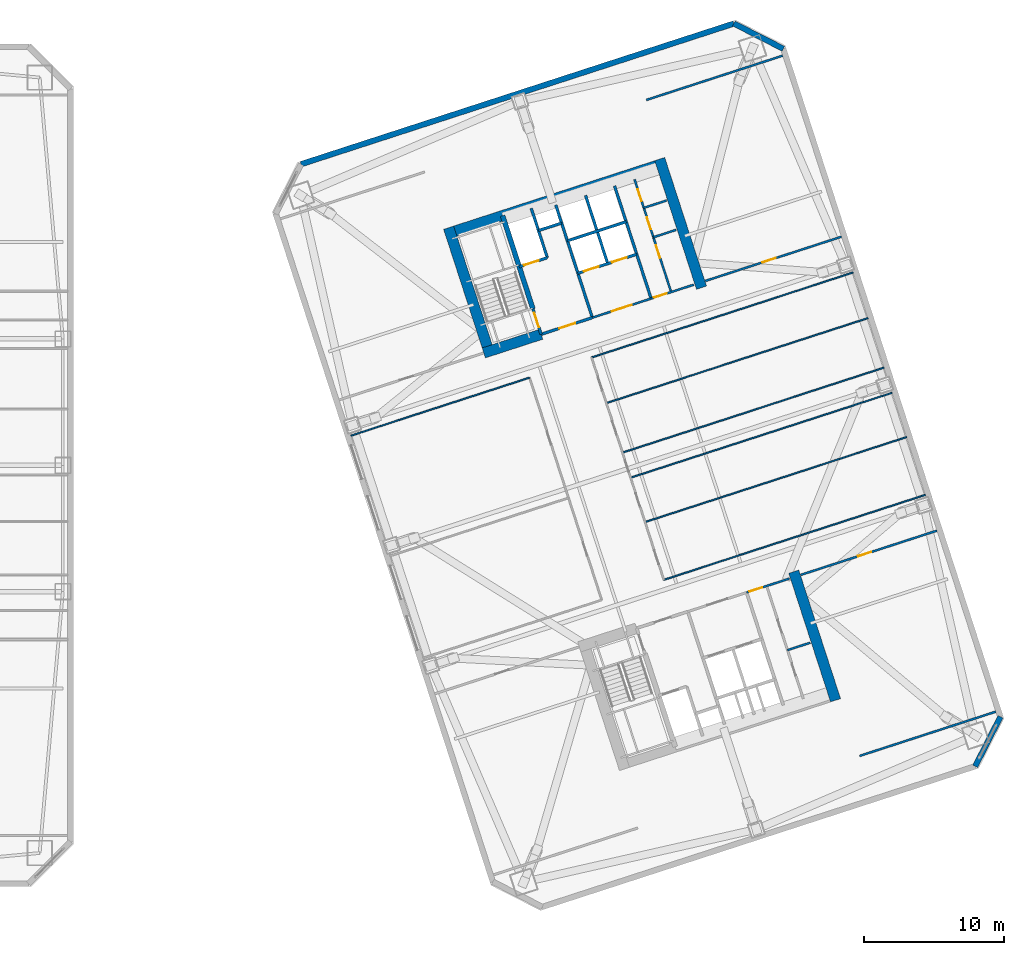
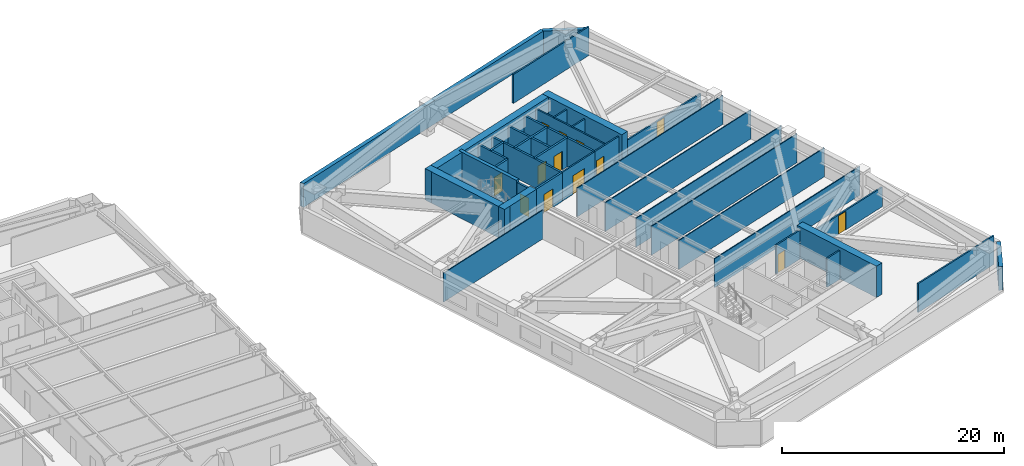
# One storey, part 15 of 18: 37 walls, 13 doors, 13 openings.
"""IFC4 building model written with IfcOpenShell, lengths in metres."""

import ifcopenshell
import ifcopenshell.guid

model = None  # the IFC model being written
_history = None  # IfcOwnerHistory: only IFC2X3 demands one
_inside = {}  # id of a spatial element -> (the spatial element, [elements in it])
_under = {}  # id of a project, library or spatial element -> (it, [spatial elements below it])
_declared = {}  # id of a project -> (the project, [libraries it declares])
_typed = {}  # id of a type object -> (the type object, [elements of that type])
_made_of = {}  # id of a material, layer set ... -> (it, [elements and type objects made of it])


def new_model(schema):
    """Start an empty IFC model of exactly this schema.

    Asked for "IFC4X3", IfcOpenShell would pick the latest addendum, in which some entities
    have other attributes; the version numbers below select the first issue.
    IFC2X3 requires an IfcOwnerHistory on every rooted entity: one is made here for all.
    """
    global model, _history
    if schema == "IFC4X3":
        model = ifcopenshell.file(schema_version=(4, 3, 0, 0))
    else:
        model = ifcopenshell.file(schema=schema)
    _inside.clear()
    _under.clear()
    _declared.clear()
    _typed.clear()
    _made_of.clear()
    _history = None
    if model.schema == "IFC2X3":
        org = make("IfcOrganization", Name="unknown")
        user = make(
            "IfcPersonAndOrganization",
            ThePerson=make("IfcPerson", FamilyName="unknown"),
            TheOrganization=org,
        )
        app = make(
            "IfcApplication",
            ApplicationDeveloper=org,
            Version="unknown",
            ApplicationFullName="unknown",
            ApplicationIdentifier="unknown",
        )
        _history = make(
            "IfcOwnerHistory",
            OwningUser=user,
            OwningApplication=app,
            ChangeAction="ADDED",
            CreationDate=0,
        )
    return model


def make(cls, **values):
    """One entity of the class cls with the attributes given. An attribute that is None is left unset."""
    return model.create_entity(
        cls, **{name: value for name, value in values.items() if value is not None}
    )


def rooted(cls, **values):
    """An entity with a GlobalId (a new one), such as an element, a storey or a relation."""
    return make(cls, GlobalId=ifcopenshell.guid.new(), OwnerHistory=_history, **values)


def si_unit(unit_type, name, prefix=None):
    """IfcSIUnit, for example si_unit("LENGTHUNIT", "METRE", prefix="MILLI")."""
    return make("IfcSIUnit", UnitType=unit_type, Prefix=prefix, Name=name)


def assignment(units):
    """IfcUnitAssignment: the units of a project."""
    return None if units is None else make("IfcUnitAssignment", Units=units)


def point(xyz):
    """IfcCartesianPoint."""
    return None if xyz is None else make("IfcCartesianPoint", Coordinates=xyz)


def direction(xyz):
    """IfcDirection."""
    return None if xyz is None else make("IfcDirection", DirectionRatios=xyz)


def frame(location, z_axis=None, x_axis=None):
    """IfcAxis2Placement3D, a coordinate frame: its origin and axes. An axis left out is left unset."""
    return make(
        "IfcAxis2Placement3D",
        Location=point(location),
        Axis=direction(z_axis),
        RefDirection=direction(x_axis),
    )


def frame_2d(location, x_axis=None):
    """IfcAxis2Placement2D, a coordinate frame in the plane: its origin and x axis."""
    return make(
        "IfcAxis2Placement2D", Location=point(location), RefDirection=direction(x_axis)
    )


def origin():
    """The frame at (0, 0, 0) with its axes left unset."""
    return frame((0.0, 0.0, 0.0))


def place(relative_to, where):
    """IfcLocalPlacement: puts the frame where relative to a parent placement (None: the world)."""
    return make(
        "IfcLocalPlacement", PlacementRelTo=relative_to, RelativePlacement=where
    )


def context(
    kind, dimensions, precision=None, world=None, true_north=None, identifier=None
):
    """IfcGeometricRepresentationContext, for example the 3D "Model" context."""
    return make(
        "IfcGeometricRepresentationContext",
        ContextIdentifier=identifier,
        ContextType=kind,
        CoordinateSpaceDimension=dimensions,
        Precision=precision,
        WorldCoordinateSystem=world,
        TrueNorth=true_north,
    )


def subcontext(parent, identifier, kind, view, scale=None):
    """IfcGeometricRepresentationSubContext, for example "Body" below "Model"."""
    return make(
        "IfcGeometricRepresentationSubContext",
        ContextIdentifier=identifier,
        ContextType=kind,
        ParentContext=parent,
        TargetScale=scale,
        TargetView=view,
    )


def project(units=None, contexts=None):
    """IfcProject with its units and contexts."""
    return rooted(
        "IfcProject",
        Name="project",
        RepresentationContexts=contexts,
        UnitsInContext=assignment(units),
    )


def spatial(cls, under=None, at=None, **own):
    """A site, building, storey or space (cls), placed at a placement, below another one or the project."""
    s = rooted(cls, ObjectPlacement=at, **own)
    if under is not None:
        _under.setdefault(under.id(), (under, []))[1].append(s)
    return s


def profile(cls, at=None, kind="AREA", **sizes):
    """A parametric profile (cls). Its sizes go by their IFC names, for example OverallWidth=200.0."""
    return make(cls, ProfileType=kind, Position=at, **sizes)


def rectangle(**sizes):
    """IfcRectangleProfileDef."""
    return profile("IfcRectangleProfileDef", **sizes)


def extrude(swept, where, along, depth):
    """IfcExtrudedAreaSolid: the profile swept, set in the frame where, extruded along a direction by depth."""
    return make(
        "IfcExtrudedAreaSolid",
        SweptArea=swept,
        Position=where,
        ExtrudedDirection=direction(along),
        Depth=depth,
    )


def shape(context_of_items, identifier, shape_type, items):
    """IfcShapeRepresentation: the items that make up one representation, for example the "Body"."""
    return make(
        "IfcShapeRepresentation",
        ContextOfItems=context_of_items,
        RepresentationIdentifier=identifier,
        RepresentationType=shape_type,
        Items=items,
    )


def material(Name=None, Category=None):
    """IfcMaterial."""
    return make("IfcMaterial", Name=Name, Category=Category)


def layer(
    of_material, thickness, ventilated=None, Name=None, Category=None, Priority=None
):
    """IfcMaterialLayer: one layer of a wall or slab, of a material (None: an air gap)."""
    return make(
        "IfcMaterialLayer",
        Material=of_material,
        LayerThickness=thickness,
        IsVentilated=ventilated,
        Name=Name,
        Category=Category,
        Priority=Priority,
    )


def layer_set(layers, Name=None):
    """IfcMaterialLayerSet."""
    return make("IfcMaterialLayerSet", MaterialLayers=layers, LayerSetName=Name)


def made_of(thing, what):
    """Note that an element or type object is made of a material, layer set ...; save() writes the relation."""
    if what is not None:
        _made_of.setdefault(what.id(), (what, []))[1].append(thing)
    return thing


def type_object(cls, material=None, **own):
    """A type object (cls), such as IfcWallType, which elements share."""
    return made_of(rooted(cls, **own), material)


def element(
    cls,
    number,
    at=None,
    inside=None,
    cuts=None,
    type_object=None,
    material=None,
    context=None,
    identifier="Body",
    shape_type=None,
    held_by="IfcProductDefinitionShape",
    body=None,
    shapes=None,
    **own,
):
    """One element of the class cls, such as IfcWall. Its Tag is "e" and its number.

    at: its placement. inside: the storey or other place that contains it. cuts: it is an
    opening in that element (IfcRelVoidsElement). A single representation is given by context,
    identifier, shape_type and body (its items); several are given by shapes. held_by: the class
    of the entity that holds the representations. save() writes the other relations.
    """
    e = rooted(cls, Tag="e%d" % number, ObjectPlacement=at, **own)
    if body is not None:
        shapes = [shape(context, identifier, shape_type, body)]
    if shapes is not None:
        e.Representation = make(held_by, Representations=shapes)
    if inside is not None:
        _inside.setdefault(inside.id(), (inside, []))[1].append(e)
    if cuts is not None:
        rooted(
            "IfcRelVoidsElement", RelatingBuildingElement=cuts, RelatedOpeningElement=e
        )
    if type_object is not None:
        _typed.setdefault(type_object.id(), (type_object, []))[1].append(e)
    return made_of(e, material)


def fill(opening, filler):
    """IfcRelFillsElement: the door or window that sits in an opening."""
    return rooted(
        "IfcRelFillsElement",
        RelatingOpeningElement=opening,
        RelatedBuildingElement=filler,
    )


def aggregate(whole, parts):
    """IfcRelAggregates: a whole, such as a stair, and the parts it consists of."""
    return rooted("IfcRelAggregates", RelatingObject=whole, RelatedObjects=parts)


def save(model, path):
    """Write the relations noted so far, then the file.

    IfcRelAggregates (storeys below a building ...), IfcRelContainedInSpatialStructure (elements
    in a storey), IfcRelDefinesByType, IfcRelAssociatesMaterial and IfcRelDeclares: one each for
    every whole, place, type object, material and project.
    """
    for whole, parts in _under.values():
        aggregate(whole, parts)
    for where, things in _inside.values():
        rooted(
            "IfcRelContainedInSpatialStructure",
            RelatedElements=things,
            RelatingStructure=where,
        )
    for kind, things in _typed.values():
        rooted("IfcRelDefinesByType", RelatedObjects=things, RelatingType=kind)
    for what, things in _made_of.values():
        rooted("IfcRelAssociatesMaterial", RelatedObjects=things, RelatingMaterial=what)
    for by, libraries in _declared.values():
        rooted("IfcRelDeclares", RelatingContext=by, RelatedDefinitions=libraries)
    model.write(path)


model = new_model("IFC4")

# Units and contexts
model_context = context("Model", 3, precision=1e-05, world=origin(), true_north=direction((0.0, 1.0)))
body_context = subcontext(model_context, "Body", "Model", "MODEL_VIEW")
ifc_project = project(units=[si_unit("LENGTHUNIT", "METRE"), si_unit("AREAUNIT", "SQUARE_METRE"), si_unit("VOLUMEUNIT", "CUBIC_METRE"), si_unit("PLANEANGLEUNIT", "RADIAN"), si_unit("MASSUNIT", "GRAM", prefix="KILO")], contexts=[model_context])

# Site, building, storey
site_placement = place(None, origin())
site = spatial("IfcSite", under=ifc_project, at=site_placement, CompositionType="ELEMENT")
building_placement = place(site_placement, origin())
building = spatial("IfcBuilding", under=site, at=building_placement, Name="Qiaolan Cultural Towers", CompositionType="ELEMENT")
storey_placement = place(building_placement, frame((0.0, 0.0, 74.75)))
storey = spatial("IfcBuildingStorey", under=building, at=storey_placement, Name="L18", CompositionType="ELEMENT", Elevation=74.75)

# Walls
ifc_material_1 = material(Name="Concrete C50", Category="concrete")
ifc_layer_1 = layer(ifc_material_1, 0.35009765625)
ifc_layer_set_1 = layer_set([ifc_layer_1], Name="Concrete C50")
wall_type_1 = type_object("IfcWallType", Name="WL-CORE-350", PredefinedType="SHEAR", material=ifc_layer_set_1)
wall_1_placement = place(storey_placement, frame((82.513671875, 45.13134765625, 0.0), z_axis=(0.0, 0.0, 1.0), x_axis=(-0.308988790936, 0.951065679686, 0.0)))
element("IfcWall", 1, at=wall_1_placement, inside=storey, type_object=wall_type_1, Name="L18 T2-CN Stair Core Dividing Web", PredefinedType="SHEAR", context=body_context, shape_type="SweptSolid", body=[
    extrude(rectangle(XDim=6.97998046875, YDim=0.35009765625, at=frame_2d((3.489990234375, 0.0))), origin(), (0.0, 0.0, 1.0), 3.449951171875),
])
ifc_material_2 = material(Name="Concrete C60", Category="concrete")
ifc_layer_2 = layer(ifc_material_2, 0.75)
ifc_layer_set_2 = layer_set([ifc_layer_2], Name="Concrete C60")
wall_type_2 = type_object("IfcWallType", Name="WL-CORE-750", PredefinedType="SHEAR", material=ifc_layer_set_2)
wall_2_placement = place(storey_placement, frame((101.08203125, 26.428955078125, 0.0), z_axis=(0.0, 0.0, 1.0), x_axis=(0.309016134813, -0.951056795583, 0.0)))
element("IfcWall", 2, at=wall_2_placement, inside=storey, type_object=wall_type_2, Name="L18 T2-CS East Core Shear Wall", PredefinedType="SHEAR", context=body_context, shape_type="SweptSolid", body=[
    extrude(rectangle(XDim=9.630126953125, YDim=0.75, at=frame_2d((4.81494140625, 0.0))), origin(), (0.0, 0.0, 1.0), 3.449951171875),
])
wall_3_placement = place(storey_placement, frame((76.27197265625, 50.442626953125, 0.0), z_axis=(0.0, 0.0, 1.0), x_axis=(0.951056072937, 0.309018358888, 0.0)))
element("IfcWall", 3, at=wall_3_placement, inside=storey, type_object=wall_type_2, Name="L18 T2-CN Outer Core Shear Wall", PredefinedType="SHEAR", context=body_context, shape_type="SweptSolid", body=[
    extrude(rectangle(XDim=16.550048828125, YDim=0.75, at=frame_2d((8.27490234375, 0.0))), origin(), (0.0, 0.0, 1.0), 3.449951171875),
])
for number, where, z_axis, x_axis, name in (
    (4, (79.48876953125, 41.75634765625, 0.0), (0.0, 0.0, 1.0), (-0.309016134813, 0.951056795583, 0.0), "L18 T2-CN West Core Shear Wall"),
    (5, (94.515380859375, 46.638916015625, 0.0), (0.0, 0.0, 1.0), (-0.309016134813, 0.951056795583, 0.0), "L18 T2-CN East Core Shear Wall"),
):
    element("IfcWall", number, at=place(storey_placement, frame(where, z_axis=z_axis, x_axis=x_axis)), inside=storey, type_object=wall_type_2, Name=name, PredefinedType="SHEAR", context=body_context, shape_type="SweptSolid", body=[
        extrude(rectangle(XDim=9.630126953125, YDim=0.75, at=frame_2d((4.81494140625, 0.0))), origin(), (0.0, 0.0, 1.0), 3.449951171875),
    ])
wall_4_placement = place(storey_placement, frame((79.01611328125, 41.997314453125, 0.0), z_axis=(0.0, 0.0, 1.0), x_axis=(0.95106038264, 0.309005094736, 0.0)))
element("IfcWall", 6, at=wall_4_placement, inside=storey, type_object=wall_type_2, Name="L18 T2-CN Stair Front Shear Wall", PredefinedType="SHEAR", context=body_context, shape_type="SweptSolid", body=[
    extrude(rectangle(XDim=4.294921875, YDim=0.75, at=frame_2d((2.1474609375, 0.0))), origin(), (0.0, 0.0, 1.0), 3.449951171875),
])
ifc_material_3 = material(Name="Precast Concrete C50 Honed Stone Pier", Category="masonry")
ifc_layer_3 = layer(ifc_material_3, 0.39990234375)
ifc_layer_set_3 = layer_set([ifc_layer_3], Name="Precast Concrete C50 Honed Stone Pier")
wall_type_3 = type_object("IfcWallType", Name="WL-EXT-PIER-400", PredefinedType="SOLIDWALL", material=ifc_layer_set_3)
wall_5_placement = place(storey_placement, frame((66.002197265625, 55.433349609375, 0.0), z_axis=(0.0, 0.0, 1.0), x_axis=(0.951055939317, 0.309018770125, 0.0)))
element("IfcWall", 7, at=wall_5_placement, inside=storey, type_object=wall_type_3, Name="L18 East Tower Precast Pier Facade Wall F3", PredefinedType="SOLIDWALL", context=body_context, shape_type="SweptSolid", body=[
    extrude(rectangle(XDim=32.39990234375, YDim=0.39990234375, at=frame_2d((16.199951171875, 0.0))), origin(), (0.0, 0.0, 1.0), 2.610107421875),
])
for number, where, z_axis, x_axis, name in (
    (8, (96.81640625, 65.445556640625, 0.0), (0.0, 0.0, 1.0), (0.890998089617, -0.454007053137, 0.0), "L18 East Tower Precast Pier Facade Wall F4"),
    (9, (115.79541015625, 16.094970703125, 0.0), (0.0, 0.0, 1.0), (-0.453958106755, -0.891023028497, 0.0), "L18 East Tower Precast Pier Facade Wall F6"),
):
    element("IfcWall", number, at=place(storey_placement, frame(where, z_axis=z_axis, x_axis=x_axis)), inside=storey, type_object=wall_type_3, Name=name, PredefinedType="SOLIDWALL", context=body_context, shape_type="SweptSolid", body=[
        extrude(rectangle(XDim=3.9599609375, YDim=0.39990234375, at=frame_2d((1.97998046875, 0.0))), origin(), (0.0, 0.0, 1.0), 2.610107421875),
    ])

# Wall, opening, door
ifc_material_4 = material(Name="Concrete C35 Fire Wall", Category="concrete")
ifc_layer_4 = layer(ifc_material_4, 0.199951171875)
ifc_layer_set_4 = layer_set([ifc_layer_4], Name="Concrete C35 Fire Wall")
wall_type_4 = type_object("IfcWallType", Name="WL-FIRE-200", PredefinedType="PARTITIONING", material=ifc_layer_set_4)
wall_6_placement = place(storey_placement, frame((83.100830078125, 43.324462890625, 0.0), z_axis=(0.0, 0.0, 1.0), x_axis=(-0.309048298632, 0.951046344356, 0.0)))
wall_6 = element("IfcWall", 10, at=wall_6_placement, inside=storey, type_object=wall_type_4, Name="L18 T2-CN Smokeproof Stair Entry Wall", PredefinedType="PARTITIONING", context=body_context, shape_type="SweptSolid", body=[
    extrude(rectangle(XDim=1.89990234375, YDim=0.199951171875, at=frame_2d((0.949951171875, 0.0))), origin(), (0.0, 0.0, 1.0), 3.175048828125),
])
opening_1_placement = place(wall_6_placement, frame((0.52001953125, 0.0, 0.0)))
opening_1 = element("IfcOpeningElement", 11, at=opening_1_placement, cuts=wall_6, Name="Opening FD-04", PredefinedType="OPENING", context=body_context, shape_type="SweptSolid", body=[
    extrude(rectangle(XDim=1.10009765625, YDim=2.050048828125, at=frame_2d((0.550048828125, 1.02490234375))), frame((0.0, 0.10986328125, 0.0), z_axis=(0.0, -1.0, 0.0), x_axis=(1.0, 0.0, 0.0)), (0.0, 0.0, 1.0), 0.219970703125),
])
ifc_material_5 = material(Name="Galvanized Steel Command Fire Door", Category="steel")
door_type_1 = type_object("IfcDoorType", Name="DR-FD90-1100", OperationType="NOTDEFINED", PredefinedType="DOOR", material=ifc_material_5)
door_1_placement = place(opening_1_placement, origin())
door_1 = element("IfcDoor", 12, at=door_1_placement, inside=storey, type_object=door_type_1, Name="L18 ST-E2 Smokeproof Stair Fire Door", OperationType="SINGLE_SWING_LEFT", OverallHeight=2.050048828125, OverallWidth=1.10009765625, PredefinedType="DOOR", context=body_context, shape_type="SweptSolid", body=[
    extrude(rectangle(XDim=1.10009765625, YDim=2.050048828125, at=frame_2d((0.550048828125, 1.02490234375))), frame((0.0, 0.02490234375, 0.0), z_axis=(0.0, -1.0, 0.0), x_axis=(1.0, 0.0, 0.0)), (0.0, 0.0, 1.0), 0.050048828125),
])
fill(opening_1, door_1)

# Wall
wall_7_placement = place(storey_placement, frame((86.743408203125, 44.508056640625, 0.0), z_axis=(0.0, 0.0, 1.0), x_axis=(-0.309016001439, 0.951056838919, 0.0)))
element("IfcWall", 13, at=wall_7_placement, inside=storey, type_object=wall_type_4, Name="L18 T2-CN Firefighting Zone Wall", PredefinedType="PARTITIONING", context=body_context, shape_type="SweptSolid", body=[
    extrude(rectangle(XDim=8.429931640625, YDim=0.199951171875, at=frame_2d((4.21484375, 0.0))), origin(), (0.0, 0.0, 1.0), 3.175048828125),
])

# Wall, opening, door
wall_8_placement = place(storey_placement, frame((83.100830078125, 43.324462890625, 0.0), z_axis=(0.0, 0.0, 1.0), x_axis=(0.951052804469, 0.309028417967, 0.0)))
wall_8 = element("IfcWall", 14, at=wall_8_placement, inside=storey, type_object=wall_type_4, Name="L18 T2-CN Firefighting Lobby Front Wall", PredefinedType="PARTITIONING", context=body_context, shape_type="SweptSolid", body=[
    extrude(rectangle(XDim=3.830078125, YDim=0.199951171875, at=frame_2d((1.9150390625, 0.0))), origin(), (0.0, 0.0, 1.0), 3.175048828125),
])
opening_2_placement = place(wall_8_placement, frame((1.35009765625, 0.0, 0.0)))
opening_2 = element("IfcOpeningElement", 15, at=opening_2_placement, cuts=wall_8, Name="Opening FD-03", PredefinedType="OPENING", context=body_context, shape_type="SweptSolid", body=[
    extrude(rectangle(XDim=1.199951171875, YDim=2.050048828125, at=frame_2d((0.60009765625, 1.02490234375))), frame((0.0, 0.10986328125, 0.0), z_axis=(0.0, -1.0, 0.0), x_axis=(1.0, 0.0, 0.0)), (0.0, 0.0, 1.0), 0.219970703125),
])
ifc_material_6 = material(Name="Galvanized Steel Smokeproof Lobby Fire Door", Category="steel")
door_type_2 = type_object("IfcDoorType", Name="DR-FD90-1200", OperationType="NOTDEFINED", PredefinedType="DOOR", material=ifc_material_6)
door_2_placement = place(opening_2_placement, origin())
door_2 = element("IfcDoor", 16, at=door_2_placement, inside=storey, type_object=door_type_2, Name="L18 FFL-E2 Firefighting Lobby Fire Door", OperationType="SINGLE_SWING_LEFT", OverallHeight=2.050048828125, OverallWidth=1.199951171875, PredefinedType="DOOR", context=body_context, shape_type="SweptSolid", body=[
    extrude(rectangle(XDim=1.199951171875, YDim=2.050048828125, at=frame_2d((0.60009765625, 1.02490234375))), frame((0.0, 0.02490234375, 0.0), z_axis=(0.0, -1.0, 0.0), x_axis=(1.0, 0.0, 0.0)), (0.0, 0.0, 1.0), 0.050048828125),
])
fill(opening_2, door_2)

wall_9_placement = place(storey_placement, frame((81.540283203125, 48.127197265625, 0.0), z_axis=(0.0, 0.0, 1.0), x_axis=(0.951062257173, 0.308999325213, 0.0)))
wall_9 = element("IfcWall", 17, at=wall_9_placement, inside=storey, type_object=wall_type_4, Name="L18 T2-CN Firefighting Shaft Front Wall", PredefinedType="PARTITIONING", context=body_context, shape_type="SweptSolid", body=[
    extrude(rectangle(XDim=2.10009765625, YDim=0.199951171875, at=frame_2d((1.050048828125, 0.0))), origin(), (0.0, 0.0, 1.0), 3.175048828125),
])
opening_3_placement = place(wall_9_placement, frame((0.35009765625, 0.0, 0.0)))
opening_3 = element("IfcOpeningElement", 18, at=opening_3_placement, cuts=wall_9, Name="Opening LD-01", PredefinedType="OPENING", context=body_context, shape_type="SweptSolid", body=[
    extrude(rectangle(XDim=1.10009765625, YDim=2.050048828125, at=frame_2d((0.550048828125, 1.02490234375))), frame((0.0, 0.10986328125, 0.0), z_axis=(0.0, -1.0, 0.0), x_axis=(1.0, 0.0, 0.0)), (0.0, 0.0, 1.0), 0.219970703125),
])
ifc_material_7 = material(Name="Brushed Stainless Steel S30408 Centre-Parting Lift Landing Door", Category="steel")
door_type_3 = type_object("IfcDoorType", Name="DR-LIFT-1100", OperationType="NOTDEFINED", PredefinedType="DOOR", material=ifc_material_7)
door_3_placement = place(opening_3_placement, origin())
door_3 = element("IfcDoor", 19, at=door_3_placement, inside=storey, type_object=door_type_3, Name="L18 FFL-E2 Firefighting Lift Landing Door", OperationType="DOUBLE_DOOR_SLIDING", OverallHeight=2.050048828125, OverallWidth=1.10009765625, PredefinedType="DOOR", context=body_context, shape_type="SweptSolid", body=[
    extrude(rectangle(XDim=1.10009765625, YDim=2.050048828125, at=frame_2d((0.550048828125, 1.02490234375))), frame((0.0, 0.02490234375, 0.0), z_axis=(0.0, -1.0, 0.0), x_axis=(1.0, 0.0, 0.0)), (0.0, 0.0, 1.0), 0.050048828125),
])
fill(opening_3, door_3)

# Walls
wall_10_placement = place(storey_placement, frame((83.53759765625, 48.776123046875, 0.0), z_axis=(0.0, 0.0, 1.0), x_axis=(-0.3089935693, 0.951064127245, 0.0)))
element("IfcWall", 20, at=wall_10_placement, inside=storey, type_object=wall_type_4, Name="L18 T2-CN Firefighting Hoistway East Wall", PredefinedType="PARTITIONING", context=body_context, shape_type="SweptSolid", body=[
    extrude(rectangle(XDim=3.7001953125, YDim=0.199951171875, at=frame_2d((1.85009765625, 0.0))), origin(), (0.0, 0.0, 1.0), 3.175048828125),
])
wall_11_placement = place(storey_placement, frame((82.910400390625, 50.706787109375, 0.0), z_axis=(0.0, 0.0, 1.0), x_axis=(0.951041328149, 0.309063734775, 0.0)))
element("IfcWall", 21, at=wall_11_placement, inside=storey, type_object=wall_type_4, Name="L18 T2-CN Pressurization Shaft Front Wall", PredefinedType="PARTITIONING", context=body_context, shape_type="SweptSolid", body=[
    extrude(rectangle(XDim=1.72998046875, YDim=0.199951171875, at=frame_2d((0.864990234375, 0.0))), origin(), (0.0, 0.0, 1.0), 3.175048828125),
])
wall_12_placement = place(storey_placement, frame((90.92822265625, 45.86767578125, 0.0), z_axis=(0.0, 0.0, 1.0), x_axis=(-0.309042196757, 0.951048327176, 0.0)))
element("IfcWall", 22, at=wall_12_placement, inside=storey, type_object=wall_type_4, Name="L18 T2-CN Lift Core East Wall", PredefinedType="PARTITIONING", context=body_context, shape_type="SweptSolid", body=[
    extrude(rectangle(XDim=8.429931640625, YDim=0.199951171875, at=frame_2d((4.21484375, 0.0))), origin(), (0.0, 0.0, 1.0), 3.175048828125),
])

# Wall, openings, doors
wall_13_placement = place(storey_placement, frame((85.717529296875, 47.66552734375, 0.0), z_axis=(0.0, 0.0, 1.0), x_axis=(0.951058531764, 0.30901079133, 0.0)))
wall_13 = element("IfcWall", 23, at=wall_13_placement, inside=storey, type_object=wall_type_4, Name="L18 T2-CN Passenger Lift Shaft Front Wall", PredefinedType="PARTITIONING", context=body_context, shape_type="SweptSolid", body=[
    extrude(rectangle(XDim=4.39990234375, YDim=0.199951171875, at=frame_2d((2.199951171875, 0.0))), origin(), (0.0, 0.0, 1.0), 3.175048828125),
])
opening_4_placement = place(wall_13_placement, frame((0.449951171875, 0.0, 0.0)))
opening_4 = element("IfcOpeningElement", 24, at=opening_4_placement, cuts=wall_13, Name="Opening LD-01", PredefinedType="OPENING", context=body_context, shape_type="SweptSolid", body=[
    extrude(rectangle(XDim=1.10009765625, YDim=2.050048828125, at=frame_2d((0.550048828125, 1.02490234375))), frame((0.0, 0.10986328125, 0.0), z_axis=(0.0, -1.0, 0.0), x_axis=(1.0, 0.0, 0.0)), (0.0, 0.0, 1.0), 0.219970703125),
])
opening_5_placement = place(wall_13_placement, frame((2.550048828125, 0.0, 0.0)))
opening_5 = element("IfcOpeningElement", 25, at=opening_5_placement, cuts=wall_13, Name="Opening LD-01", PredefinedType="OPENING", context=body_context, shape_type="SweptSolid", body=[
    extrude(rectangle(XDim=1.10009765625, YDim=2.050048828125, at=frame_2d((0.550048828125, 1.02490234375))), frame((0.0, 0.10986328125, 0.0), z_axis=(0.0, -1.0, 0.0), x_axis=(1.0, 0.0, 0.0)), (0.0, 0.0, 1.0), 0.219970703125),
])
door_4_placement = place(opening_4_placement, origin())
door_4 = element("IfcDoor", 26, at=door_4_placement, inside=storey, type_object=door_type_3, Name="L18 Passenger Lift 1 Landing Door", OperationType="DOUBLE_DOOR_SLIDING", OverallHeight=2.050048828125, OverallWidth=1.10009765625, PredefinedType="DOOR", context=body_context, shape_type="SweptSolid", body=[
    extrude(rectangle(XDim=1.10009765625, YDim=2.050048828125, at=frame_2d((0.550048828125, 1.02490234375))), frame((0.0, 0.02490234375, 0.0), z_axis=(0.0, -1.0, 0.0), x_axis=(1.0, 0.0, 0.0)), (0.0, 0.0, 1.0), 0.050048828125),
])
fill(opening_4, door_4)
door_5_placement = place(opening_5_placement, origin())
door_5 = element("IfcDoor", 27, at=door_5_placement, inside=storey, type_object=door_type_3, Name="L18 Passenger Lift 2 Landing Door", OperationType="DOUBLE_DOOR_SLIDING", OverallHeight=2.050048828125, OverallWidth=1.10009765625, PredefinedType="DOOR", context=body_context, shape_type="SweptSolid", body=[
    extrude(rectangle(XDim=1.10009765625, YDim=2.050048828125, at=frame_2d((0.550048828125, 1.02490234375))), frame((0.0, 0.02490234375, 0.0), z_axis=(0.0, -1.0, 0.0), x_axis=(1.0, 0.0, 0.0)), (0.0, 0.0, 1.0), 0.050048828125),
])
fill(opening_5, door_5)

# Walls
wall_14_placement = place(storey_placement, frame((87.83837890625, 48.3544921875, 0.0), z_axis=(0.0, 0.0, 1.0), x_axis=(-0.3090093719, 0.951058992953, 0.0)))
element("IfcWall", 28, at=wall_14_placement, inside=storey, type_object=wall_type_4, Name="L18 T2-CN Lift Shaft Divider Wall", PredefinedType="PARTITIONING", context=body_context, shape_type="SweptSolid", body=[
    extrude(rectangle(XDim=5.110107421875, YDim=0.199951171875, at=frame_2d((2.55517578125, 0.0))), origin(), (0.0, 0.0, 1.0), 3.175048828125),
])
wall_15_placement = place(storey_placement, frame((84.966552734375, 49.9765625, 0.0), z_axis=(0.0, 0.0, 1.0), x_axis=(0.951063829732, 0.308994485023, 0.0)))
element("IfcWall", 29, at=wall_15_placement, inside=storey, type_object=wall_type_4, Name="L18 T2-CN Passenger Lift Shaft Back Wall", PredefinedType="PARTITIONING", context=body_context, shape_type="SweptSolid", body=[
    extrude(rectangle(XDim=4.400146484375, YDim=0.199951171875, at=frame_2d((2.2001953125, 0.0))), origin(), (0.0, 0.0, 1.0), 3.175048828125),
])
ifc_material_8 = material(Name="Acoustic Double-Glazed Partition Frame", Category="glass")
ifc_layer_5 = layer(ifc_material_8, 0.10009765625)
ifc_layer_set_5 = layer_set([ifc_layer_5], Name="Acoustic Double-Glazed Partition Frame")
wall_type_5 = type_object("IfcWallType", Name="WL-GLAZED-100", PredefinedType="MOVABLE", material=ifc_layer_set_5)
wall_16_placement = place(storey_placement, frame((91.833984375, 25.84765625, 0.0), z_axis=(0.0, 0.0, 1.0), x_axis=(0.951055605195, 0.309019798438, 0.0)))
element("IfcWall", 30, at=wall_16_placement, inside=storey, type_object=wall_type_5, Name="L18 T2 South Corridor Right Wall", PredefinedType="MOVABLE", context=body_context, shape_type="SweptSolid", body=[
    extrude(rectangle(XDim=19.574951171875, YDim=0.10009765625, at=frame_2d((9.78759765625, 0.0))), origin(), (0.0, 0.0, 1.0), 3.175048828125),
])
wall_17_placement = place(storey_placement, frame((69.549072265625, 36.103271484375, 0.0), z_axis=(0.0, 0.0, 1.0), x_axis=(0.951058077006, 0.309012190961, 0.0)))
element("IfcWall", 31, at=wall_17_placement, inside=storey, type_object=wall_type_5, Name="L18 T2 North Corridor Left Wall", PredefinedType="MOVABLE", context=body_context, shape_type="SweptSolid", body=[
    extrude(rectangle(XDim=13.375, YDim=0.10009765625, at=frame_2d((6.6875, 0.0))), origin(), (0.0, 0.0, 1.0), 3.175048828125),
])
for number, where, z_axis, x_axis, name in (
    (32, (86.69189453125, 41.67333984375, 0.0), (0.0, 0.0, 1.0), (0.951055605195, 0.309019798438, 0.0), "L18 T2 North Corridor Right Wall"),
    (33, (90.4990234375, 29.956298828125, 0.0), (0.0, 0.0, 1.0), (0.951055605195, 0.309019798438, 0.0), "L18 T2 East Partition 2"),
    (34, (89.47314453125, 33.11376953125, 0.0), (0.0, 0.0, 1.0), (0.951055605195, 0.309019798438, 0.0), "L18 T2 East Partition 3"),
    (35, (88.89208984375, 34.90185546875, 0.0), (0.0, 0.0, 1.0), (0.951059270613, 0.309008517326, 0.0), "L18 T2 East Partition 4"),
    (36, (87.74609375, 38.4287109375, 0.0), (0.0, 0.0, 1.0), (0.951055605195, 0.309019798438, 0.0), "L18 T2 East Partition 5"),
):
    element("IfcWall", number, at=place(storey_placement, frame(where, z_axis=z_axis, x_axis=x_axis)), inside=storey, type_object=wall_type_5, Name=name, PredefinedType="MOVABLE", context=body_context, shape_type="SweptSolid", body=[
        extrude(rectangle(XDim=19.574951171875, YDim=0.10009765625, at=frame_2d((9.78759765625, 0.0))), origin(), (0.0, 0.0, 1.0), 3.175048828125),
    ])

# Wall, opening, door
ifc_material_9 = material(Name="Autoclaved Aerated Concrete Block B06", Category="concrete")
ifc_layer_6 = layer(ifc_material_9, 0.14990234375)
ifc_layer_set_6 = layer_set([ifc_layer_6], Name="Autoclaved Aerated Concrete Block B06")
wall_type_6 = type_object("IfcWallType", Name="WL-PART-150", PredefinedType="PARTITIONING", material=ifc_layer_set_6)
wall_18_placement = place(storey_placement, frame((97.7265625, 24.9443359375, 0.0), z_axis=(0.0, 0.0, 1.0), x_axis=(0.951036872128, 0.309077446369, 0.0)))
wall_18 = element("IfcWall", 37, at=wall_18_placement, inside=storey, type_object=wall_type_6, Name="L18 T2-CS Sanitary Core Front Wall", PredefinedType="PARTITIONING", context=body_context, shape_type="SweptSolid", body=[
    extrude(rectangle(XDim=3.199951171875, YDim=0.14990234375, at=frame_2d((1.60009765625, 0.0))), origin(), (0.0, 0.0, 1.0), 3.175048828125),
])
opening_6_placement = place(wall_18_placement, frame((0.219970703125, 0.0, 0.0)))
opening_6 = element("IfcOpeningElement", 38, at=opening_6_placement, cuts=wall_18, Name="Opening ID-05", PredefinedType="OPENING", context=body_context, shape_type="SweptSolid", body=[
    extrude(rectangle(XDim=0.949951171875, YDim=2.050048828125, at=frame_2d((0.47509765625, 1.02490234375))), frame((0.0, 0.0849609375, 0.0), z_axis=(0.0, -1.0, 0.0), x_axis=(1.0, 0.0, 0.0)), (0.0, 0.0, 1.0), 0.169921875),
])
ifc_material_10 = material(Name="Fire-Rated Laminate Accessible Core Door", Category="timber")
door_type_4 = type_object("IfcDoorType", Name="DR-INT-950", OperationType="NOTDEFINED", PredefinedType="DOOR", material=ifc_material_10)
door_6_placement = place(opening_6_placement, origin())
door_6 = element("IfcDoor", 39, at=door_6_placement, inside=storey, type_object=door_type_4, Name="L18 Sanitary Lobby Door", OperationType="SINGLE_SWING_LEFT", OverallHeight=2.050048828125, OverallWidth=0.949951171875, PredefinedType="DOOR", context=body_context, shape_type="SweptSolid", body=[
    extrude(rectangle(XDim=0.949951171875, YDim=2.050048828125, at=frame_2d((0.47509765625, 1.02490234375))), frame((0.0, 0.02490234375, 0.0), z_axis=(0.0, -1.0, 0.0), x_axis=(1.0, 0.0, 0.0)), (0.0, 0.0, 1.0), 0.050048828125),
])
fill(opening_6, door_6)

# Wall
wall_19_placement = place(storey_placement, frame((100.636474609375, 20.8427734375, 0.0), z_axis=(0.0, 0.0, 1.0), x_axis=(0.951040401051, 0.309066587596, 0.0)))
element("IfcWall", 40, at=wall_19_placement, inside=storey, type_object=wall_type_6, Name="L18 T2-CS First-Aid Wall", PredefinedType="PARTITIONING", context=body_context, shape_type="SweptSolid", body=[
    extrude(rectangle(XDim=1.699951171875, YDim=0.14990234375, at=frame_2d((0.85009765625, 0.0))), origin(), (0.0, 0.0, 1.0), 3.175048828125),
])

# Wall, opening, door
wall_20_placement = place(storey_placement, frame((86.743408203125, 44.508056640625, 0.0), z_axis=(0.0, 0.0, 1.0), x_axis=(0.951063829732, 0.308994485023, 0.0)))
wall_20 = element("IfcWall", 41, at=wall_20_placement, inside=storey, type_object=wall_type_6, Name="L18 T2-CN Passenger Lift Lobby Front Wall", PredefinedType="PARTITIONING", context=body_context, shape_type="SweptSolid", body=[
    extrude(rectangle(XDim=4.400146484375, YDim=0.14990234375, at=frame_2d((2.2001953125, 0.0))), origin(), (0.0, 0.0, 1.0), 3.175048828125),
])
opening_7_placement = place(wall_20_placement, frame((1.449951171875, 0.0, 0.0)))
opening_7 = element("IfcOpeningElement", 42, at=opening_7_placement, cuts=wall_20, Name="Opening FD-05", PredefinedType="OPENING", context=body_context, shape_type="SweptSolid", body=[
    extrude(rectangle(XDim=1.5, YDim=2.050048828125, at=frame_2d((0.75, 1.02490234375))), frame((0.0, 0.0849609375, 0.0), z_axis=(0.0, -1.0, 0.0), x_axis=(1.0, 0.0, 0.0)), (0.0, 0.0, 1.0), 0.169921875),
])
ifc_material_11 = material(Name="Painted Steel Lift Lobby Fire Door", Category="steel")
door_type_5 = type_object("IfcDoorType", Name="DR-FD60-1500", OperationType="NOTDEFINED", PredefinedType="DOOR", material=ifc_material_11)
door_7_placement = place(opening_7_placement, origin())
door_7 = element("IfcDoor", 43, at=door_7_placement, inside=storey, type_object=door_type_5, Name="L18 Passenger Lift Lobby Entrance", OperationType="SINGLE_SWING_LEFT", OverallHeight=2.050048828125, OverallWidth=1.5, PredefinedType="DOOR", context=body_context, shape_type="SweptSolid", body=[
    extrude(rectangle(XDim=1.5, YDim=2.050048828125, at=frame_2d((0.75, 1.02490234375))), frame((0.0, 0.02490234375, 0.0), z_axis=(0.0, -1.0, 0.0), x_axis=(1.0, 0.0, 0.0)), (0.0, 0.0, 1.0), 0.050048828125),
])
fill(opening_7, door_7)

wall_21_placement = place(storey_placement, frame((90.92822265625, 45.86767578125, 0.0), z_axis=(0.0, 0.0, 1.0), x_axis=(0.951059297078, 0.309008435874, 0.0)))
wall_21 = element("IfcWall", 44, at=wall_21_placement, inside=storey, type_object=wall_type_6, Name="L18 T2-CN Sanitary Core Front Wall", PredefinedType="PARTITIONING", context=body_context, shape_type="SweptSolid", body=[
    extrude(rectangle(XDim=3.19970703125, YDim=0.14990234375, at=frame_2d((1.599853515625, 0.0))), origin(), (0.0, 0.0, 1.0), 3.175048828125),
])
opening_8_placement = place(wall_21_placement, frame((0.219970703125, 0.0, 0.0)))
opening_8 = element("IfcOpeningElement", 45, at=opening_8_placement, cuts=wall_21, Name="Opening ID-05", PredefinedType="OPENING", context=body_context, shape_type="SweptSolid", body=[
    extrude(rectangle(XDim=0.949951171875, YDim=2.050048828125, at=frame_2d((0.47509765625, 1.02490234375))), frame((0.0, 0.0849609375, 0.0), z_axis=(0.0, -1.0, 0.0), x_axis=(1.0, 0.0, 0.0)), (0.0, 0.0, 1.0), 0.169921875),
])
door_8_placement = place(opening_8_placement, origin())
door_8 = element("IfcDoor", 46, at=door_8_placement, inside=storey, type_object=door_type_4, Name="L18 Sanitary Vestibule Door", OperationType="SINGLE_SWING_LEFT", OverallHeight=2.050048828125, OverallWidth=0.949951171875, PredefinedType="DOOR", context=body_context, shape_type="SweptSolid", body=[
    extrude(rectangle(XDim=0.949951171875, YDim=2.050048828125, at=frame_2d((0.47509765625, 1.02490234375))), frame((0.0, 0.02490234375, 0.0), z_axis=(0.0, -1.0, 0.0), x_axis=(1.0, 0.0, 0.0)), (0.0, 0.0, 1.0), 0.050048828125),
])
fill(opening_8, door_8)

# Wall, openings, doors
wall_22_placement = place(storey_placement, frame((92.354736328125, 46.3310546875, 0.0), z_axis=(0.0, 0.0, 1.0), x_axis=(-0.309007490203, 0.951059604335, 0.0)))
wall_22 = element("IfcWall", 47, at=wall_22_placement, inside=storey, type_object=wall_type_6, Name="L18 T2-CN Sanitary Vestibule Wall", PredefinedType="PARTITIONING", context=body_context, shape_type="SweptSolid", body=[
    extrude(rectangle(XDim=8.43017578125, YDim=0.14990234375, at=frame_2d((4.215087890625, 0.0))), origin(), (0.0, 0.0, 1.0), 3.175048828125),
])
opening_9_placement = place(wall_22_placement, frame((2.550048828125, 0.0, 0.0)))
opening_9 = element("IfcOpeningElement", 48, at=opening_9_placement, cuts=wall_22, Name="Opening ID-05", PredefinedType="OPENING", context=body_context, shape_type="SweptSolid", body=[
    extrude(rectangle(XDim=0.949951171875, YDim=2.050048828125, at=frame_2d((0.47509765625, 1.02490234375))), frame((0.0, 0.0849609375, 0.0), z_axis=(0.0, -1.0, 0.0), x_axis=(1.0, 0.0, 0.0)), (0.0, 0.0, 1.0), 0.169921875),
])
opening_10_placement = place(wall_22_placement, frame((4.699951171875, 0.0, 0.0)))
opening_10 = element("IfcOpeningElement", 49, at=opening_10_placement, cuts=wall_22, Name="Opening ID-06", PredefinedType="OPENING", context=body_context, shape_type="SweptSolid", body=[
    extrude(rectangle(XDim=0.89990234375, YDim=2.050048828125, at=frame_2d((0.449951171875, 1.02490234375))), frame((0.0, 0.0849609375, 0.0), z_axis=(0.0, -1.0, 0.0), x_axis=(1.0, 0.0, 0.0)), (0.0, 0.0, 1.0), 0.169921875),
])
opening_11_placement = place(wall_22_placement, frame((6.800048828125, 0.0, 0.0)))
opening_11 = element("IfcOpeningElement", 50, at=opening_11_placement, cuts=wall_22, Name="Opening ID-06", PredefinedType="OPENING", context=body_context, shape_type="SweptSolid", body=[
    extrude(rectangle(XDim=0.89990234375, YDim=2.050048828125, at=frame_2d((0.449951171875, 1.02490234375))), frame((0.0, 0.0849609375, 0.0), z_axis=(0.0, -1.0, 0.0), x_axis=(1.0, 0.0, 0.0)), (0.0, 0.0, 1.0), 0.169921875),
])
ifc_material_12 = material(Name="Fire-Rated Laminate Core Service Door", Category="timber")
door_type_6 = type_object("IfcDoorType", Name="DR-INT-900", OperationType="NOTDEFINED", PredefinedType="DOOR", material=ifc_material_12)
door_9_placement = place(opening_10_placement, origin())
door_9 = element("IfcDoor", 51, at=door_9_placement, inside=storey, type_object=door_type_6, Name="L18 Men Washroom Door", OperationType="SINGLE_SWING_LEFT", OverallHeight=2.050048828125, OverallWidth=0.89990234375, PredefinedType="DOOR", context=body_context, shape_type="SweptSolid", body=[
    extrude(rectangle(XDim=0.89990234375, YDim=2.050048828125, at=frame_2d((0.449951171875, 1.02490234375))), frame((0.0, 0.02490234375, 0.0), z_axis=(0.0, -1.0, 0.0), x_axis=(1.0, 0.0, 0.0)), (0.0, 0.0, 1.0), 0.050048828125),
])
fill(opening_10, door_9)
door_10_placement = place(opening_11_placement, origin())
door_10 = element("IfcDoor", 52, at=door_10_placement, inside=storey, type_object=door_type_6, Name="L18 Women Washroom Door", OperationType="SINGLE_SWING_RIGHT", OverallHeight=2.050048828125, OverallWidth=0.89990234375, PredefinedType="DOOR", context=body_context, shape_type="SweptSolid", body=[
    extrude(rectangle(XDim=0.89990234375, YDim=2.050048828125, at=frame_2d((0.449951171875, 1.02490234375))), frame((0.0, 0.02490234375, 0.0), z_axis=(0.0, -1.0, 0.0), x_axis=(1.0, 0.0, 0.0)), (0.0, 0.0, 1.0), 0.050048828125),
])
fill(opening_11, door_10)
door_11_placement = place(opening_9_placement, origin())
door_11 = element("IfcDoor", 53, at=door_11_placement, inside=storey, type_object=door_type_4, Name="L18 Accessible Family Washroom Door", OperationType="SINGLE_SWING_LEFT", OverallHeight=2.050048828125, OverallWidth=0.949951171875, PredefinedType="DOOR", context=body_context, shape_type="SweptSolid", body=[
    extrude(rectangle(XDim=0.949951171875, YDim=2.050048828125, at=frame_2d((0.47509765625, 1.02490234375))), frame((0.0, 0.02490234375, 0.0), z_axis=(0.0, -1.0, 0.0), x_axis=(1.0, 0.0, 0.0)), (0.0, 0.0, 1.0), 0.050048828125),
])
fill(opening_9, door_11)

# Walls
wall_23_placement = place(storey_placement, frame((91.087646484375, 50.23046875, 0.0), z_axis=(0.0, 0.0, 1.0), x_axis=(0.951054116971, 0.309024378638, 0.0)))
element("IfcWall", 54, at=wall_23_placement, inside=storey, type_object=wall_type_6, Name="L18 T2-CN Restroom Split Wall 1", PredefinedType="PARTITIONING", context=body_context, shape_type="SweptSolid", body=[
    extrude(rectangle(XDim=1.7001953125, YDim=0.14990234375, at=frame_2d((0.85009765625, 0.0))), origin(), (0.0, 0.0, 1.0), 3.175048828125),
])
wall_24_placement = place(storey_placement, frame((90.407958984375, 52.32275390625, 0.0), z_axis=(0.0, 0.0, 1.0), x_axis=(0.951040401051, 0.309066587596, 0.0)))
element("IfcWall", 55, at=wall_24_placement, inside=storey, type_object=wall_type_6, Name="L18 T2-CN Restroom Split Wall 2", PredefinedType="PARTITIONING", context=body_context, shape_type="SweptSolid", body=[
    extrude(rectangle(XDim=1.699951171875, YDim=0.14990234375, at=frame_2d((0.85009765625, 0.0))), origin(), (0.0, 0.0, 1.0), 3.175048828125),
])
wall_25_placement = place(storey_placement, frame((105.765380859375, 13.30908203125, 0.0), z_axis=(0.0, 0.0, 1.0), x_axis=(0.951054294345, 0.309023832749, 0.0)))
element("IfcWall", 56, at=wall_25_placement, inside=storey, type_object=wall_type_6, Name="L18 T2 Flank Wall FLK-SE", PredefinedType="PARTITIONING", context=body_context, shape_type="SweptSolid", body=[
    extrude(rectangle(XDim=10.2001953125, YDim=0.14990234375, at=frame_2d((5.10009765625, 0.0))), origin(), (0.0, 0.0, 1.0), 3.175048828125),
])

# Wall, opening, door
wall_26_placement = place(storey_placement, frame((101.578369140625, 26.196044921875, 0.0), z_axis=(0.0, 0.0, 1.0), x_axis=(0.951059043131, 0.309009217467, 0.0)))
wall_26 = element("IfcWall", 57, at=wall_26_placement, inside=storey, type_object=wall_type_6, Name="L18 T2 Flank Front FLK-SE", PredefinedType="PARTITIONING", context=body_context, shape_type="SweptSolid", body=[
    extrude(rectangle(XDim=10.199951171875, YDim=0.14990234375, at=frame_2d((5.10009765625, 0.0))), origin(), (0.0, 0.0, 1.0), 2.14990234375),
])
opening_12_placement = place(wall_26_placement, frame((4.283935546875, 0.0, 0.0)))
opening_12 = element("IfcOpeningElement", 58, at=opening_12_placement, cuts=wall_26, Name="Opening ID-04", PredefinedType="OPENING", context=body_context, shape_type="SweptSolid", body=[
    extrude(rectangle(XDim=1.0, YDim=2.050048828125, at=frame_2d((0.5, 1.02490234375))), frame((0.0, 0.0849609375, 0.0), z_axis=(0.0, -1.0, 0.0), x_axis=(1.0, 0.0, 0.0)), (0.0, 0.0, 1.0), 0.169921875),
])
ifc_material_13 = material(Name="Oak Veneer Acoustic Office Door", Category="timber")
door_type_7 = type_object("IfcDoorType", Name="DR-INT-1000", OperationType="NOTDEFINED", PredefinedType="DOOR", material=ifc_material_13)
door_12_placement = place(opening_12_placement, origin())
door_12 = element("IfcDoor", 59, at=door_12_placement, inside=storey, type_object=door_type_7, Name="L18 T2 Corner Studio Door", OperationType="SINGLE_SWING_LEFT", OverallHeight=2.050048828125, OverallWidth=1.0, PredefinedType="DOOR", context=body_context, shape_type="SweptSolid", body=[
    extrude(rectangle(XDim=1.0, YDim=2.050048828125, at=frame_2d((0.5, 1.02490234375))), frame((0.0, 0.02490234375, 0.0), z_axis=(0.0, -1.0, 0.0), x_axis=(1.0, 0.0, 0.0)), (0.0, 0.0, 1.0), 0.050048828125),
])
fill(opening_12, door_12)

# Wall
wall_27_placement = place(storey_placement, frame((90.5927734375, 60.006103515625, 0.0), z_axis=(0.0, 0.0, 1.0), x_axis=(0.951059043131, 0.309009217467, 0.0)))
element("IfcWall", 60, at=wall_27_placement, inside=storey, type_object=wall_type_6, Name="L18 T2 Flank Wall FLK-NE", PredefinedType="PARTITIONING", context=body_context, shape_type="SweptSolid", body=[
    extrude(rectangle(XDim=10.199951171875, YDim=0.14990234375, at=frame_2d((5.10009765625, 0.0))), origin(), (0.0, 0.0, 1.0), 3.175048828125),
])

# Wall, opening, door
wall_28_placement = place(storey_placement, frame((94.77978515625, 47.119140625, 0.0), z_axis=(0.0, 0.0, 1.0), x_axis=(0.951054294345, 0.309023832749, 0.0)))
wall_28 = element("IfcWall", 61, at=wall_28_placement, inside=storey, type_object=wall_type_6, Name="L18 T2 Flank Front FLK-NE", PredefinedType="PARTITIONING", context=body_context, shape_type="SweptSolid", body=[
    extrude(rectangle(XDim=10.2001953125, YDim=0.14990234375, at=frame_2d((5.10009765625, 0.0))), origin(), (0.0, 0.0, 1.0), 2.14990234375),
])
opening_13_placement = place(wall_28_placement, frame((4.283935546875, 0.0, 0.0)))
opening_13 = element("IfcOpeningElement", 62, at=opening_13_placement, cuts=wall_28, Name="Opening ID-04", PredefinedType="OPENING", context=body_context, shape_type="SweptSolid", body=[
    extrude(rectangle(XDim=1.0, YDim=2.050048828125, at=frame_2d((0.5, 1.02490234375))), frame((0.0, 0.0849609375, 0.0), z_axis=(0.0, -1.0, 0.0), x_axis=(1.0, 0.0, 0.0)), (0.0, 0.0, 1.0), 0.169921875),
])
door_13_placement = place(opening_13_placement, origin())
door_13 = element("IfcDoor", 63, at=door_13_placement, inside=storey, type_object=door_type_7, Name="L18 T2 Corner Studio Door", OperationType="SINGLE_SWING_LEFT", OverallHeight=2.050048828125, OverallWidth=1.0, PredefinedType="DOOR", context=body_context, shape_type="SweptSolid", body=[
    extrude(rectangle(XDim=1.0, YDim=2.050048828125, at=frame_2d((0.5, 1.02490234375))), frame((0.0, 0.02490234375, 0.0), z_axis=(0.0, -1.0, 0.0), x_axis=(1.0, 0.0, 0.0)), (0.0, 0.0, 1.0), 0.050048828125),
])
fill(opening_13, door_13)

save(model, "model.ifc")
